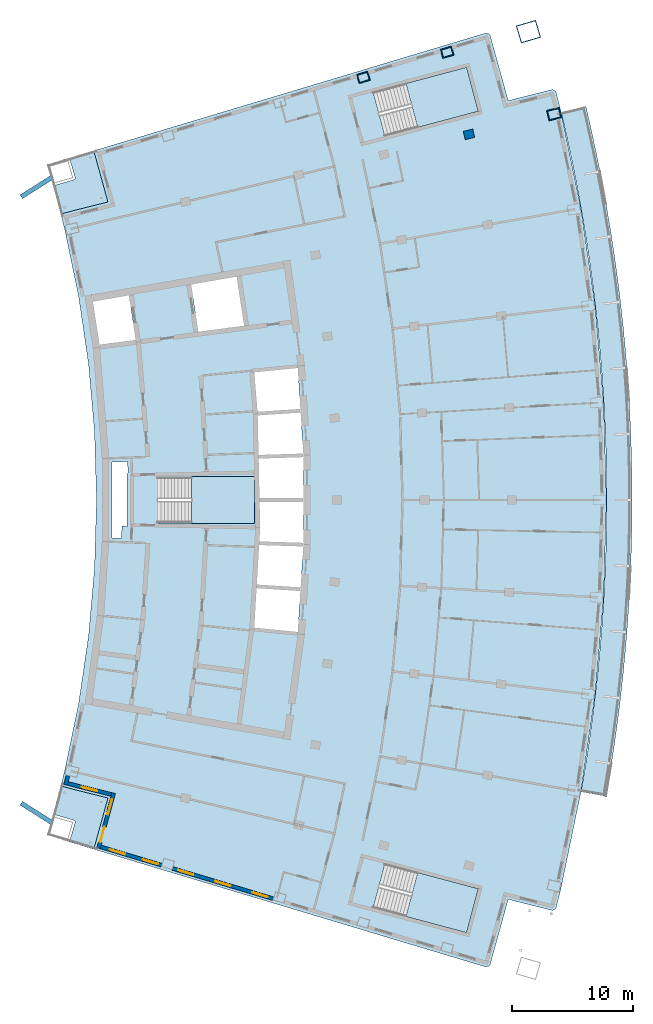
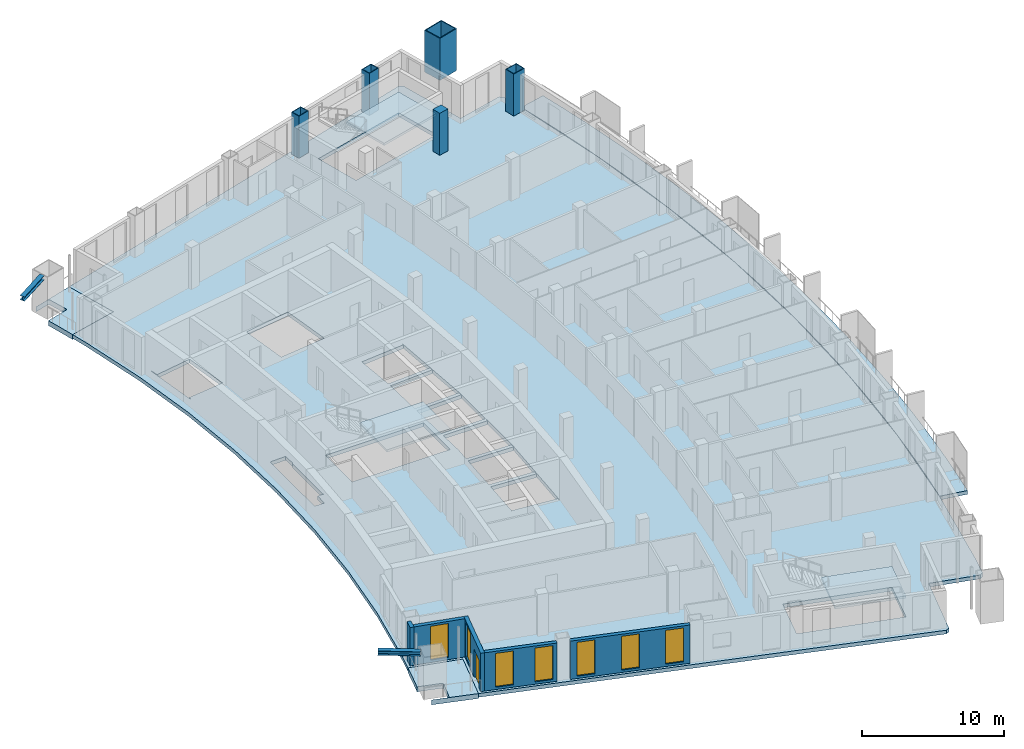
# One storey, part 8 of 18: 7 slabs, 7 windows, 5 columns, 5 walls, 2 members, 1 door, 8 openings, 3 elements without a shape of their own.
"""IFC4 building model written with IfcOpenShell, lengths in metres."""

from ifc_helpers import new_model, si_unit, direction, frame, frame_2d, origin, origin_2d, place, context, subcontext, project, spatial, polyline, rectangle, hollow_rectangle, i_section, outline, extrude, material, layer, layer_set, material_profile, profile_set, type_object, element, fill, aggregate, save


model = new_model("IFC4")

# Units and contexts
model_context = context("Model", 3, precision=1e-05, world=origin(), true_north=direction((0.0, 1.0)))
body_context = subcontext(model_context, "Body", "Model", "MODEL_VIEW")
ifc_project = project(units=[si_unit("LENGTHUNIT", "METRE"), si_unit("AREAUNIT", "SQUARE_METRE"), si_unit("VOLUMEUNIT", "CUBIC_METRE"), si_unit("PLANEANGLEUNIT", "RADIAN"), si_unit("MASSUNIT", "GRAM", prefix="KILO")], contexts=[model_context])

# Site, building, storey
site_placement = place(None, origin())
site = spatial("IfcSite", under=ifc_project, at=site_placement, CompositionType="ELEMENT")
building_placement = place(site_placement, origin())
building = spatial("IfcBuilding", under=site, at=building_placement, Name="Alderwake Tower", CompositionType="ELEMENT")
storey_placement = place(building_placement, frame((0.0, 0.0, 225.199951171875)))
storey = spatial("IfcBuildingStorey", under=building, at=storey_placement, Name="L56", CompositionType="ELEMENT", Elevation=225.199951171875)

# Columns
ifc_material_1 = material(Name="Steel ASTM A572 Grade 50 concrete filled C70/85", Category="concrete")
ifc_material_profile_1 = material_profile(ifc_material_1, hollow_rectangle(XDim=0.75, YDim=0.949951171875, WallThickness=0.054931640625, at=origin_2d()), Name="BOX 950X750X55")
ifc_profile_set_1 = profile_set([ifc_material_profile_1], Name="Steel ASTM A572 Grade 50 concrete filled C70/85")
column_type_1 = type_object("IfcColumnType", Name="End column Z4", PredefinedType="COLUMN", material=ifc_profile_set_1)
for number, where, z_axis, x_axis, name in (
    (1, (37.976318359375, 95.79345703125, 0.0), (0.0, 0.0, 1.0), (-0.282873846689, 0.959157123134, 0.0), "Column R12-C3"),
    (2, (44.872314453125, 97.86376953125, 0.0), (0.0, 0.0, 1.0), (-0.283131639396, 0.959081057457, 0.0), "Column R12-C4"),
):
    element("IfcColumn", number, at=place(storey_placement, frame(where, z_axis=z_axis, x_axis=x_axis)), inside=storey, type_object=column_type_1, Name=name, PredefinedType="COLUMN", context=body_context, shape_type="SweptSolid", body=[
        extrude(hollow_rectangle(XDim=0.75, YDim=0.949951171875, WallThickness=0.054931640625, at=origin_2d()), origin(), (0.0, 0.0, 1.0), 3.60009765625),
    ])
ifc_material_2 = material(Name="Concrete C70/85", Category="concrete")
ifc_material_profile_2 = material_profile(ifc_material_2, rectangle(XDim=0.699951171875, YDim=0.800048828125, at=origin_2d()), Name="RC 800X700")
ifc_profile_set_2 = profile_set([ifc_material_profile_2], Name="Concrete C70/85")
column_type_2 = type_object("IfcColumnType", Name="Interior column Z4", PredefinedType="COLUMN", material=ifc_profile_set_2)
column_1_placement = place(storey_placement, frame((46.671630859375, 91.10498046875, 0.0), z_axis=(0.0, 0.0, 1.0), x_axis=(-0.231221547198, 0.972901123502, 0.0)))
element("IfcColumn", 3, at=column_1_placement, inside=storey, type_object=column_type_2, Name="Column R11-C4", PredefinedType="COLUMN", context=body_context, shape_type="SweptSolid", body=[
    extrude(rectangle(XDim=0.699951171875, YDim=0.800048828125, at=origin_2d()), origin(), (0.0, 0.0, 1.0), 3.60009765625),
])
ifc_material_3 = material(Name="Steel ASTM A572 Grade 50 concrete filled C70/85", Category="concrete")
ifc_material_profile_3 = material_profile(ifc_material_3, hollow_rectangle(XDim=1.5, YDim=1.699951171875, WallThickness=0.074951171875, at=origin_2d()), Name="BOX 1700X1500X75")
ifc_profile_set_3 = profile_set([ifc_material_profile_3], Name="Steel ASTM A572 Grade 50 concrete filled C70/85")
column_type_3 = type_object("IfcColumnType", Name="Mega column Z4", PredefinedType="COLUMN", material=ifc_profile_set_3)
column_2_placement = place(storey_placement, frame((51.565185546875, 99.56201171875, 0.0), z_axis=(0.0, 0.0, 1.0), x_axis=(-0.281269716931, 0.959628754435, 0.0)))
element("IfcColumn", 4, at=column_2_placement, inside=storey, type_object=column_type_3, Name="Column R12-C5", PredefinedType="COLUMN", context=body_context, shape_type="SweptSolid", body=[
    extrude(hollow_rectangle(XDim=1.5, YDim=1.699951171875, WallThickness=0.074951171875, at=origin_2d()), origin(), (0.0, 0.0, 1.0), 3.60009765625),
])
ifc_material_4 = material(Name="Steel ASTM A572 Grade 50 concrete filled C70/85", Category="concrete")
ifc_material_profile_4 = material_profile(ifc_material_4, hollow_rectangle(XDim=0.85009765625, YDim=1.050048828125, WallThickness=0.054931640625, at=origin_2d()), Name="BOX 1050X850X55")
ifc_profile_set_4 = profile_set([ifc_material_profile_4], Name="Steel ASTM A572 Grade 50 concrete filled C70/85")
column_type_4 = type_object("IfcColumnType", Name="Perimeter column Z4", PredefinedType="COLUMN", material=ifc_profile_set_4)
column_3_placement = place(storey_placement, frame((53.676513671875, 92.77001953125, 0.0), z_axis=(0.0, 0.0, 1.0), x_axis=(-0.231221547198, 0.972901123502, 0.0)))
element("IfcColumn", 5, at=column_3_placement, inside=storey, type_object=column_type_4, Name="Column R11-C5", PredefinedType="COLUMN", context=body_context, shape_type="SweptSolid", body=[
    extrude(hollow_rectangle(XDim=0.85009765625, YDim=1.050048828125, WallThickness=0.054931640625, at=origin_2d()), origin(), (0.0, 0.0, 1.0), 3.60009765625),
])

# Members
ifc_material_5 = material(Name="Steel ASTM A992 Grade 50", Category="steel")
ifc_material_profile_5 = material_profile(ifc_material_5, i_section(OverallWidth=0.3740234375, OverallDepth=0.372314453125, WebThickness=0.016357421875, FlangeThickness=0.026123046875, at=origin_2d()), Name="W14X132")
ifc_profile_set_5 = profile_set([ifc_material_profile_5], Name="Steel ASTM A992 Grade 50")
member_type = type_object("IfcMemberType", Name="Brace node stub W14X132", PredefinedType="MEMBER", material=ifc_profile_set_5)
for number, where, z_axis, x_axis, name in (
    (6, (12.35009765625, 34.422119140625, 3.393798828125), (-0.844643389982, 0.535329378757, 0.0), (-0.535329378757, -0.844643389982, 0.0), "Brace node stub BS.RR02-C0.2288"),
    (7, (12.35009765625, 87.577880859375, 3.393798828125), (-0.844643389982, -0.535329378757, 0.0), (0.535329378757, -0.844643389982, 0.0), "Brace node stub BS.RR12-C0.2288"),
):
    element("IfcMember", number, at=place(storey_placement, frame(where, z_axis=z_axis, x_axis=x_axis)), inside=storey, type_object=member_type, Name=name, PredefinedType="MEMBER", context=body_context, shape_type="SweptSolid", body=[
        extrude(i_section(OverallWidth=0.3740234375, OverallDepth=0.372314453125, WebThickness=0.016357421875, FlangeThickness=0.026123046875, at=origin_2d()), origin(), (0.0, 0.0, 1.0), 3.015869140625),
    ])

# Slabs
ifc_material_6 = material(Name="Concrete C50/60", Category="concrete")
ifc_layer_1 = layer(ifc_material_6, 0.320068359375)
ifc_layer_set_1 = layer_set([ifc_layer_1], Name="Balcony slab 320")
slab_type_1 = type_object("IfcSlabType", Name="Balcony slab 320", PredefinedType="FLOOR", material=ifc_layer_set_1)
slab_1_placement = place(storey_placement, frame((0.0, 0.0, -0.320068359375)))
element("IfcSlab", 8, at=slab_1_placement, inside=storey, type_object=slab_type_1, Name="Balcony BF04", PredefinedType="FLOOR", context=body_context, shape_type="SweptSolid", body=[
    extrude(outline(polyline([(58.30126953125, 38.621826171875), (58.61279296875, 40.64111328125), (58.89501953125, 42.66455078125), (59.147705078125, 44.692138671875), (59.37060546875, 46.722900390625), (59.56396484375, 48.7568359375), (59.727783203125, 50.79345703125), (59.86181640625, 52.83203125), (59.9658203125, 54.87255859375), (60.040283203125, 56.914306640625), (60.085205078125, 58.956787109375), (60.10009765625, 61.0), (60.085205078125, 63.043212890625), (60.040283203125, 65.085693359375), (59.9658203125, 67.12744140625), (59.86181640625, 69.16796875), (59.727783203125, 71.20654296875), (59.56396484375, 73.2431640625), (59.37060546875, 75.277099609375), (59.147705078125, 77.307861328125), (58.89501953125, 79.33544921875), (58.61279296875, 81.35888671875), (58.30126953125, 83.378173828125), (57.960205078125, 85.392578125), (57.58984375, 87.40185546875), (57.190185546875, 89.405517578125), (56.76123046875, 91.403076171875), (56.303466796875, 93.394287109375), (54.26025390625, 92.90869140625), (54.71142578125, 90.947265625), (55.1337890625, 88.979736328125), (55.52734375, 87.006103515625), (55.892333984375, 85.02685546875), (56.228271484375, 83.042724609375), (56.53515625, 81.0537109375), (56.81298828125, 79.060546875), (57.06201171875, 77.0634765625), (57.281494140625, 75.06298828125), (57.47216796875, 73.0595703125), (57.63330078125, 71.0537109375), (57.765380859375, 69.04541015625), (57.867919921875, 67.03564453125), (57.94140625, 65.0244140625), (57.9853515625, 63.012451171875), (58.0, 61.0), (57.9853515625, 58.987548828125), (57.94140625, 56.9755859375), (57.867919921875, 54.96435546875), (57.765380859375, 52.95458984375), (57.63330078125, 50.9462890625), (57.47216796875, 48.9404296875), (57.281494140625, 46.93701171875), (57.06201171875, 44.9365234375), (56.81298828125, 42.939453125), (56.53515625, 40.9462890625), (56.228271484375, 38.957275390625), (55.892333984375, 36.97314453125), (57.960205078125, 36.607421875), (58.30126953125, 38.621826171875)])), origin(), (0.0, 0.0, 1.0), 0.320068359375),
])
ifc_material_7 = material(Name="Concrete C50/60", Category="concrete")
ifc_layer_2 = layer(ifc_material_7, 0.320068359375)
ifc_layer_set_2 = layer_set([ifc_layer_2], Name="Concrete C50/60 post-tensioned flat plate 320")
slab_type_2 = type_object("IfcSlabType", Name="Concrete C50/60 post-tensioned flat plate 320", PredefinedType="FLOOR", material=ifc_layer_set_2)
slab_2_placement = place(storey_placement, frame((0.0, 0.0, -0.320068359375)))
element("IfcSlab", 9, at=slab_2_placement, inside=storey, type_object=slab_type_2, Name="Floor slab L56", PredefinedType="FLOOR", context=body_context, shape_type="SweptSolid", body=[
    extrude(outline(polyline([(13.06494140625, 37.443115234375), (13.3984375, 38.802734375), (14.53369140625, 44.28564453125), (15.347412109375, 49.825439453125), (15.836669921875, 55.4033203125), (16.0, 61.0), (15.836669921875, 66.5966796875), (15.347412109375, 72.174560546875), (14.53369140625, 77.71435546875), (13.3984375, 83.197265625), (13.06494140625, 84.556884765625), (16.942626953125, 85.53857421875), (15.776611328125, 89.7548828125), (48.120361328125, 99.465576171875), (48.40185546875, 99.309814453125), (49.903076171875, 93.881591796875), (53.557861328125, 94.806640625), (53.835693359375, 94.6396484375), (54.26025390625, 92.90869140625), (55.892333984375, 85.02685546875), (57.06201171875, 77.0634765625), (57.765380859375, 69.04541015625), (58.0, 61.0), (57.765380859375, 52.95458984375), (57.06201171875, 44.9365234375), (55.892333984375, 36.97314453125), (54.26025390625, 29.09130859375), (53.835693359375, 27.3603515625), (53.557861328125, 27.193359375), (49.903076171875, 28.118408203125), (48.40185546875, 22.690185546875), (48.120361328125, 22.534423828125), (15.776611328125, 32.2451171875), (16.942626953125, 36.46142578125), (13.06494140625, 37.443115234375)]), holes=[polyline([(28.9853515625, 50.4306640625), (28.989013671875, 50.430419921875), (28.994140625, 50.485595703125), (32.546875, 50.1376953125), (32.5322265625, 49.988525390625), (32.562255859375, 49.985595703125), (32.80126953125, 53.654541015625), (33.0400390625, 57.323486328125), (33.0400390625, 61.0), (33.0400390625, 64.676513671875), (32.80126953125, 68.345458984375), (32.562255859375, 72.014404296875), (32.532470703125, 72.011474609375), (32.547119140625, 71.8623046875), (28.993896484375, 71.514404296875), (29.256591796875, 68.264892578125), (32.761474609375, 68.4931640625), (32.771240234375, 68.343505859375), (32.781005859375, 68.19384765625), (29.278564453125, 67.9658203125), (29.274169921875, 68.032470703125), (29.2705078125, 68.0322265625), (29.34423828125, 64.70654296875), (33.005126953125, 64.82568359375), (33.010009765625, 64.67578125), (33.014892578125, 64.525634765625), (29.350830078125, 64.406494140625), (29.4228515625, 61.14990234375), (33.010009765625, 61.14990234375), (33.010009765625, 61.0), (33.010009765625, 60.85009765625), (29.429443359375, 60.85009765625), (29.4765625, 58.72314453125), (29.409423828125, 57.591552734375), (33.014892578125, 57.474365234375), (33.010009765625, 57.32421875), (33.005126953125, 57.17431640625), (29.395751953125, 57.291748046875), (29.39599609375, 57.3017578125), (29.392333984375, 57.302001953125), (29.198974609375, 54.039306640625), (32.781005859375, 53.80615234375), (32.771240234375, 53.656494140625), (32.761474609375, 53.5068359375), (29.181396484375, 53.739990234375), (28.9853515625, 50.4306640625)]), polyline([(21.050048828125, 62.875), (21.050048828125, 59.125), (29.0, 59.125), (29.0, 62.875), (21.050048828125, 62.875)]), polyline([(15.64111328125, 77.91015625), (15.487060546875, 77.8828125), (15.487548828125, 77.879150390625), (15.617919921875, 77.899169921875), (16.280029296875, 73.5927734375), (16.31005859375, 73.5966796875), (16.2841796875, 73.794921875), (19.224853515625, 74.1796875), (18.673095703125, 77.842041015625), (18.869140625, 77.87158203125), (18.8671875, 77.8837890625), (15.740234375, 77.340087890625), (15.64111328125, 77.91015625)]), polyline([(27.538330078125, 79.39111328125), (23.794921875, 78.740478515625), (24.384033203125, 74.8583984375), (24.36865234375, 74.856201171875), (24.369140625, 74.8525390625), (28.152587890625, 75.347412109375), (27.538330078125, 79.39111328125)]), polyline([(47.436279296875, 28.996826171875), (39.754150390625, 31.043212890625), (38.7890625, 27.41943359375), (46.47119140625, 25.373291015625), (47.436279296875, 28.996826171875)]), polyline([(46.47119140625, 96.626708984375), (38.7890625, 94.58056640625), (39.754150390625, 90.956787109375), (47.436279296875, 93.003173828125), (46.47119140625, 96.626708984375)]), polyline([(17.289306640625, 64.118408203125), (17.289306640625, 57.881591796875), (18.06298828125, 57.85400390625), (18.090576171875, 58.84375), (18.544189453125, 58.831298828125), (18.529296875, 58.8681640625), (18.5234375, 58.891845703125), (18.5185546875, 58.940673828125), (18.5185546875, 63.060302734375), (18.5234375, 63.109130859375), (18.53759765625, 63.156005859375), (18.560791015625, 63.19921875), (18.588623046875, 63.2333984375), (18.562744140625, 64.16357421875), (17.289306640625, 64.118408203125)])]), origin(), (0.0, 0.0, 1.0), 0.320068359375),
])

# Stair, slab
ifc_material_8 = material(Name="Concrete C40/50", Category="concrete")
stair_type = type_object("IfcStairType", Name="Core exit stair", PredefinedType="HALF_TURN_STAIR", material=ifc_material_8)
stair_1_placement = place(storey_placement, origin())
stair_1 = element("IfcStair", 10, at=stair_1_placement, inside=storey, type_object=stair_type, Name="L56 Exit Stair B", PredefinedType="HALF_TURN_STAIR")
ifc_material_9 = material(Name="Concrete C40/50", Category="concrete")
ifc_layer_3 = layer(ifc_material_9, 0.199951171875)
ifc_layer_set_3 = layer_set([ifc_layer_3], Name="Core stair landing 200")
slab_type_3 = type_object("IfcSlabType", Name="Core stair landing 200", PredefinedType="LANDING", material=ifc_layer_set_3)
slab_3_placement = place(storey_placement, frame((0.0, 0.0, 1.60009765625)))
slab_3 = element("IfcSlab", 11, at=slab_3_placement, type_object=slab_type_3, Name="ST-B landing 1", PredefinedType="LANDING", context=body_context, shape_type="SweptSolid", body=[
    extrude(outline(polyline([(23.830078125, 59.074951171875), (29.0, 59.074951171875), (29.0, 62.925048828125), (23.830078125, 62.925048828125), (23.830078125, 59.074951171875)])), origin(), (0.0, 0.0, 1.0), 0.199951171875),
])
aggregate(stair_1, [slab_3])

stair_2_placement = place(storey_placement, origin())
stair_2 = element("IfcStair", 12, at=stair_2_placement, inside=storey, type_object=stair_type, Name="L56 Exit Stair A", PredefinedType="HALF_TURN_STAIR")
slab_4_placement = place(storey_placement, frame((0.0, 0.0, 1.60009765625)))
slab_4 = element("IfcSlab", 13, at=slab_4_placement, type_object=slab_type_3, Name="ST-A landing 1", PredefinedType="LANDING", context=body_context, shape_type="SweptSolid", body=[
    extrude(outline(polyline([(42.440673828125, 91.67236328125), (47.436279296875, 93.003173828125), (46.47119140625, 96.626708984375), (41.475341796875, 95.296142578125), (42.440673828125, 91.67236328125)])), origin(), (0.0, 0.0, 1.0), 0.199951171875),
])
aggregate(stair_2, [slab_4])

stair_3_placement = place(storey_placement, origin())
stair_3 = element("IfcStair", 14, at=stair_3_placement, inside=storey, type_object=stair_type, Name="L56 Exit Stair C", PredefinedType="HALF_TURN_STAIR")
slab_5_placement = place(storey_placement, frame((0.0, 0.0, 1.60009765625)))
slab_5 = element("IfcSlab", 15, at=slab_5_placement, type_object=slab_type_3, Name="ST-C landing 1", PredefinedType="LANDING", context=body_context, shape_type="SweptSolid", body=[
    extrude(outline(polyline([(41.475341796875, 26.703857421875), (46.47119140625, 25.373291015625), (47.436279296875, 28.996826171875), (42.4404296875, 30.32763671875), (41.475341796875, 26.703857421875)])), origin(), (0.0, 0.0, 1.0), 0.199951171875),
])
aggregate(stair_3, [slab_5])

# Slabs
ifc_material_10 = material(Name="Concrete C50/60", Category="concrete")
ifc_layer_4 = layer(ifc_material_10, 0.419921875)
ifc_layer_set_4 = layer_set([ifc_layer_4], Name="Terrace slab 420")
slab_type_4 = type_object("IfcSlabType", Name="Terrace slab 420", PredefinedType="FLOOR", material=ifc_layer_set_4)
slab_6_placement = place(storey_placement, frame((0.0, 0.0, -0.419921875)))
element("IfcSlab", 16, at=slab_6_placement, inside=storey, type_object=slab_type_4, Name="Corner terrace RS", PredefinedType="FLOOR", context=body_context, shape_type="SweptSolid", body=[
    extrude(outline(polyline([(15.776611328125, 32.2451171875), (12.517333984375, 33.2236328125), (13.628662109375, 32.901123046875), (13.64306640625, 32.897705078125), (13.65771484375, 32.895751953125), (13.67236328125, 32.895263671875), (13.68701171875, 32.896240234375), (13.701416015625, 32.8984375), (13.7158203125, 32.90234375), (13.7294921875, 32.907470703125), (13.742919921875, 32.913818359375), (13.75537109375, 32.921630859375), (13.76708984375, 32.930419921875), (13.77783203125, 32.9404296875), (13.78759765625, 32.951416015625), (13.796142578125, 32.96337890625), (13.8037109375, 32.976318359375), (13.809814453125, 32.989501953125), (13.814453125, 33.00341796875), (14.232421875, 34.444091796875), (14.23583984375, 34.45849609375), (14.23779296875, 34.472900390625), (14.23828125, 34.48779296875), (14.237548828125, 34.50244140625), (14.235107421875, 34.516845703125), (14.2314453125, 34.53125), (14.226318359375, 34.544921875), (14.2197265625, 34.55810546875), (14.212158203125, 34.57080078125), (14.203125, 34.58251953125), (14.193115234375, 34.59326171875), (14.18212890625, 34.60302734375), (14.170166015625, 34.611572265625), (14.157470703125, 34.618896484375), (14.14404296875, 34.625244140625), (14.130126953125, 34.6298828125), (12.49755859375, 35.103515625), (12.483154296875, 35.10693359375), (12.468505859375, 35.10888671875), (12.453857421875, 35.109619140625), (12.4404296875, 35.108642578125), (12.71142578125, 36.08837890625), (13.06494140625, 37.443115234375), (16.942626953125, 36.46142578125), (15.776611328125, 32.2451171875)])), origin(), (0.0, 0.0, 1.0), 0.419921875),
])
slab_7_placement = place(storey_placement, frame((0.0, 0.0, -0.419921875)))
element("IfcSlab", 17, at=slab_7_placement, inside=storey, type_object=slab_type_4, Name="Corner terrace RN", PredefinedType="FLOOR", context=body_context, shape_type="SweptSolid", body=[
    extrude(outline(polyline([(12.4404296875, 86.891357421875), (12.453857421875, 86.890380859375), (12.468505859375, 86.89111328125), (12.483154296875, 86.89306640625), (12.49755859375, 86.896484375), (14.130126953125, 87.3701171875), (14.14404296875, 87.374755859375), (14.157470703125, 87.381103515625), (14.170166015625, 87.388427734375), (14.18212890625, 87.39697265625), (14.193115234375, 87.40673828125), (14.203125, 87.41748046875), (14.212158203125, 87.42919921875), (14.2197265625, 87.44189453125), (14.226318359375, 87.455078125), (14.2314453125, 87.46875), (14.235107421875, 87.483154296875), (14.237548828125, 87.49755859375), (14.23828125, 87.51220703125), (14.23779296875, 87.527099609375), (14.23583984375, 87.54150390625), (14.232421875, 87.555908203125), (13.814453125, 88.99658203125), (13.809814453125, 89.010498046875), (13.8037109375, 89.023681640625), (13.796142578125, 89.03662109375), (13.78759765625, 89.048583984375), (13.77783203125, 89.0595703125), (13.76708984375, 89.069580078125), (13.75537109375, 89.078369140625), (13.742919921875, 89.086181640625), (13.7294921875, 89.092529296875), (13.7158203125, 89.09765625), (13.701416015625, 89.1015625), (13.68701171875, 89.103759765625), (13.67236328125, 89.104736328125), (13.65771484375, 89.104248046875), (13.64306640625, 89.102294921875), (13.628662109375, 89.098876953125), (12.517333984375, 88.7763671875), (15.776611328125, 89.7548828125), (16.942626953125, 85.53857421875), (13.06494140625, 84.556884765625), (12.71142578125, 85.91162109375), (12.4404296875, 86.891357421875)])), origin(), (0.0, 0.0, 1.0), 0.419921875),
])

# Wall
ifc_material_11 = material(Name="Precast concrete C50/60 spandrel panel", Category="concrete")
ifc_layer_5 = layer(ifc_material_11, 0.300048828125)
ifc_layer_set_5 = layer_set([ifc_layer_5], Name="External wall EW1 Precast concrete C50/60 spandrel")
wall_type_1 = type_object("IfcWallType", Name="External wall EW1 Precast concrete C50/60 spandrel", PredefinedType="SOLIDWALL", material=ifc_layer_set_5)
wall_1_placement = place(storey_placement, frame((13.63720703125, 38.30712890625, 0.0), z_axis=(0.0, 0.0, 1.0), x_axis=(-0.23817684901, -0.971221801957, 0.0)))
element("IfcWall", 18, at=wall_1_placement, inside=storey, type_object=wall_type_1, Name="External wall 1", PredefinedType="SOLIDWALL", context=body_context, shape_type="SweptSolid", body=[
    extrude(rectangle(XDim=0.778076171875, YDim=0.300048828125, at=frame_2d((0.38916015625, 0.0))), origin(), (0.0, 0.0, 1.0), 3.280029296875),
])

# Wall, opening, window
ifc_material_12 = material(Name="Bronze metal cladding on lightweight framing")
ifc_layer_6 = layer(ifc_material_12, 0.300048828125)
ifc_layer_set_6 = layer_set([ifc_layer_6], Name="External wall EW2 bronze metal cladding")
wall_type_2 = type_object("IfcWallType", Name="External wall EW2 bronze metal cladding", PredefinedType="SOLIDWALL", material=ifc_layer_set_6)
wall_2_placement = place(storey_placement, frame((13.633056640625, 37.660400390625, 0.0), z_axis=(0.0, 0.0, 1.0), x_axis=(0.969417366605, -0.245417948254, 0.0)))
wall_2 = element("IfcWall", 19, at=wall_2_placement, inside=storey, type_object=wall_type_2, Name="External wall 2", PredefinedType="SOLIDWALL", context=body_context, shape_type="SweptSolid", body=[
    extrude(rectangle(XDim=3.70556640625, YDim=0.300048828125, at=frame_2d((1.852783203125, 0.0))), origin(), (0.0, 0.0, 1.0), 3.280029296875),
])
opening_1_placement = place(wall_2_placement, frame((1.202880859375, 0.0, 0.199951171875)))
opening_1 = element("IfcOpeningElement", 20, at=opening_1_placement, cuts=wall_2, Name="Opening W1", PredefinedType="OPENING", context=body_context, shape_type="SweptSolid", body=[
    extrude(rectangle(XDim=1.300048828125, YDim=2.89990234375, at=frame_2d((0.64990234375, 1.449951171875))), frame((0.0, 0.159912109375, 0.0), z_axis=(0.0, -1.0, 0.0), x_axis=(1.0, 0.0, 0.0)), (0.0, 0.0, 1.0), 0.320068359375),
])
ifc_material_13 = material(Name="Bronze tinted glass in aluminium frame", Category="aluminium")
window_type = type_object("IfcWindowType", Name="Window W1 tall fixed and vent", PartitioningType="DOUBLE_PANEL_VERTICAL", PredefinedType="WINDOW", material=ifc_material_13)
window_1_placement = place(opening_1_placement, origin())
window_1 = element("IfcWindow", 21, at=window_1_placement, inside=storey, type_object=window_type, Name="Window W1 tall fixed and vent", OverallHeight=2.89990234375, OverallWidth=1.300048828125, PartitioningType="DOUBLE_PANEL_VERTICAL", PredefinedType="WINDOW", context=body_context, shape_type="SweptSolid", body=[
    extrude(rectangle(XDim=1.300048828125, YDim=2.89990234375, at=frame_2d((0.64990234375, 1.449951171875))), frame((0.0, 0.030029296875, 0.0), z_axis=(0.0, -1.0, 0.0), x_axis=(1.0, 0.0, 0.0)), (0.0, 0.0, 1.0), 0.06005859375),
])
fill(opening_1, window_1)

# Wall, openings, door, window
wall_3_placement = place(storey_placement, frame((17.410400390625, 36.85888671875, 0.0), z_axis=(0.0, 0.0, 1.0), x_axis=(-0.264592640785, -0.96436027212, 0.0)))
wall_3 = element("IfcWall", 22, at=wall_3_placement, inside=storey, type_object=wall_type_2, Name="External wall 3", PredefinedType="SOLIDWALL", context=body_context, shape_type="SweptSolid", body=[
    extrude(rectangle(XDim=4.690185546875, YDim=0.300048828125, at=frame_2d((2.34521484375, 0.0))), origin(), (0.0, 0.0, 1.0), 3.280029296875),
])
opening_2_placement = place(wall_3_placement, frame((0.5224609375, 0.0, 0.199951171875)))
opening_2 = element("IfcOpeningElement", 23, at=opening_2_placement, cuts=wall_3, Name="Opening W1", PredefinedType="OPENING", context=body_context, shape_type="SweptSolid", body=[
    extrude(rectangle(XDim=1.300048828125, YDim=2.89990234375, at=frame_2d((0.64990234375, 1.449951171875))), frame((0.0, 0.159912109375, 0.0), z_axis=(0.0, -1.0, 0.0), x_axis=(1.0, 0.0, 0.0)), (0.0, 0.0, 1.0), 0.320068359375),
])
opening_3_placement = place(wall_3_placement, frame((2.867431640625, 0.0, 0.0)))
opening_3 = element("IfcOpeningElement", 24, at=opening_3_placement, cuts=wall_3, Name="Opening D01", PredefinedType="OPENING", context=body_context, shape_type="SweptSolid", body=[
    extrude(rectangle(XDim=1.300048828125, YDim=2.39990234375, at=frame_2d((0.64990234375, 1.199951171875))), frame((0.0, 0.159912109375, 0.0), z_axis=(0.0, -1.0, 0.0), x_axis=(1.0, 0.0, 0.0)), (0.0, 0.0, 1.0), 0.320068359375),
])
ifc_material_14 = material(Name="Bronze tinted glass in aluminium frame", Category="aluminium")
door_type = type_object("IfcDoorType", Name="Balcony door BD sliding", OperationType="SLIDING_TO_LEFT", PredefinedType="DOOR", material=ifc_material_14)
door_placement = place(opening_3_placement, origin())
door = element("IfcDoor", 25, at=door_placement, inside=storey, type_object=door_type, Name="Door D01", OperationType="SLIDING_TO_LEFT", OverallHeight=2.39990234375, OverallWidth=1.300048828125, PredefinedType="DOOR", context=body_context, shape_type="SweptSolid", body=[
    extrude(rectangle(XDim=1.300048828125, YDim=2.39990234375, at=frame_2d((0.64990234375, 1.199951171875))), frame((0.0, 0.02490234375, 0.0), z_axis=(0.0, -1.0, 0.0), x_axis=(1.0, 0.0, 0.0)), (0.0, 0.0, 1.0), 0.050048828125),
])
fill(opening_3, door)
window_2_placement = place(opening_2_placement, origin())
window_2 = element("IfcWindow", 26, at=window_2_placement, inside=storey, type_object=window_type, Name="Window W1 tall fixed and vent", OverallHeight=2.89990234375, OverallWidth=1.300048828125, PartitioningType="DOUBLE_PANEL_VERTICAL", PredefinedType="WINDOW", context=body_context, shape_type="SweptSolid", body=[
    extrude(rectangle(XDim=1.300048828125, YDim=2.89990234375, at=frame_2d((0.64990234375, 1.449951171875))), frame((0.0, 0.030029296875, 0.0), z_axis=(0.0, -1.0, 0.0), x_axis=(1.0, 0.0, 0.0)), (0.0, 0.0, 1.0), 0.06005859375),
])
fill(opening_2, window_2)

# Wall, openings, windows
wall_4_placement = place(storey_placement, frame((16.352783203125, 32.4375, 0.0), z_axis=(0.0, 0.0, 1.0), x_axis=(0.95777225046, -0.287527939944, 0.0)))
wall_4 = element("IfcWall", 27, at=wall_4_placement, inside=storey, type_object=wall_type_2, Name="External wall 4", PredefinedType="SOLIDWALL", context=body_context, shape_type="SweptSolid", body=[
    extrude(rectangle(XDim=5.224609375, YDim=0.300048828125, at=frame_2d((2.6123046875, 0.0))), origin(), (0.0, 0.0, 1.0), 3.280029296875),
])
opening_4_placement = place(wall_4_placement, frame((0.775390625, 0.0, 0.199951171875)))
opening_4 = element("IfcOpeningElement", 28, at=opening_4_placement, cuts=wall_4, Name="Opening W1", PredefinedType="OPENING", context=body_context, shape_type="SweptSolid", body=[
    extrude(rectangle(XDim=1.300048828125, YDim=2.89990234375, at=frame_2d((0.64990234375, 1.449951171875))), frame((0.0, 0.159912109375, 0.0), z_axis=(0.0, -1.0, 0.0), x_axis=(1.0, 0.0, 0.0)), (0.0, 0.0, 1.0), 0.320068359375),
])
opening_5_placement = place(wall_4_placement, frame((3.626220703125, 0.0, 0.199951171875)))
opening_5 = element("IfcOpeningElement", 29, at=opening_5_placement, cuts=wall_4, Name="Opening W1", PredefinedType="OPENING", context=body_context, shape_type="SweptSolid", body=[
    extrude(rectangle(XDim=1.300048828125, YDim=2.89990234375, at=frame_2d((0.64990234375, 1.449951171875))), frame((0.0, 0.159912109375, 0.0), z_axis=(0.0, -1.0, 0.0), x_axis=(1.0, 0.0, 0.0)), (0.0, 0.0, 1.0), 0.320068359375),
])
window_3_placement = place(opening_4_placement, origin())
window_3 = element("IfcWindow", 30, at=window_3_placement, inside=storey, type_object=window_type, Name="Window W1 tall fixed and vent", OverallHeight=2.89990234375, OverallWidth=1.300048828125, PartitioningType="DOUBLE_PANEL_VERTICAL", PredefinedType="WINDOW", context=body_context, shape_type="SweptSolid", body=[
    extrude(rectangle(XDim=1.300048828125, YDim=2.89990234375, at=frame_2d((0.64990234375, 1.449951171875))), frame((0.0, 0.030029296875, 0.0), z_axis=(0.0, -1.0, 0.0), x_axis=(1.0, 0.0, 0.0)), (0.0, 0.0, 1.0), 0.06005859375),
])
fill(opening_4, window_3)
window_4_placement = place(opening_5_placement, origin())
window_4 = element("IfcWindow", 31, at=window_4_placement, inside=storey, type_object=window_type, Name="Window W1 tall fixed and vent", OverallHeight=2.89990234375, OverallWidth=1.300048828125, PartitioningType="DOUBLE_PANEL_VERTICAL", PredefinedType="WINDOW", context=body_context, shape_type="SweptSolid", body=[
    extrude(rectangle(XDim=1.300048828125, YDim=2.89990234375, at=frame_2d((0.64990234375, 1.449951171875))), frame((0.0, 0.030029296875, 0.0), z_axis=(0.0, -1.0, 0.0), x_axis=(1.0, 0.0, 0.0)), (0.0, 0.0, 1.0), 0.06005859375),
])
fill(opening_5, window_4)

wall_5_placement = place(storey_placement, frame((22.270751953125, 30.660888671875, 0.0), z_axis=(0.0, 0.0, 1.0), x_axis=(0.957767198916, -0.287544766394, 0.0)))
wall_5 = element("IfcWall", 32, at=wall_5_placement, inside=storey, type_object=wall_type_2, Name="External wall 5", PredefinedType="SOLIDWALL", context=body_context, shape_type="SweptSolid", body=[
    extrude(rectangle(XDim=8.64599609375, YDim=0.300048828125, at=frame_2d((4.322998046875, 0.0))), origin(), (0.0, 0.0, 1.0), 3.280029296875),
])
opening_6_placement = place(wall_5_placement, frame((0.472900390625, 0.0, 0.199951171875)))
opening_6 = element("IfcOpeningElement", 33, at=opening_6_placement, cuts=wall_5, Name="Opening W1", PredefinedType="OPENING", context=body_context, shape_type="SweptSolid", body=[
    extrude(rectangle(XDim=1.300048828125, YDim=2.89990234375, at=frame_2d((0.64990234375, 1.449951171875))), frame((0.0, 0.159912109375, 0.0), z_axis=(0.0, -1.0, 0.0), x_axis=(1.0, 0.0, 0.0)), (0.0, 0.0, 1.0), 0.320068359375),
])
opening_7_placement = place(wall_5_placement, frame((3.673095703125, 0.0, 0.199951171875)))
opening_7 = element("IfcOpeningElement", 34, at=opening_7_placement, cuts=wall_5, Name="Opening W1", PredefinedType="OPENING", context=body_context, shape_type="SweptSolid", body=[
    extrude(rectangle(XDim=1.300048828125, YDim=2.89990234375, at=frame_2d((0.64990234375, 1.449951171875))), frame((0.0, 0.159912109375, 0.0), z_axis=(0.0, -1.0, 0.0), x_axis=(1.0, 0.0, 0.0)), (0.0, 0.0, 1.0), 0.320068359375),
])
opening_8_placement = place(wall_5_placement, frame((6.873046875, 0.0, 0.199951171875)))
opening_8 = element("IfcOpeningElement", 35, at=opening_8_placement, cuts=wall_5, Name="Opening W1", PredefinedType="OPENING", context=body_context, shape_type="SweptSolid", body=[
    extrude(rectangle(XDim=1.300048828125, YDim=2.89990234375, at=frame_2d((0.64990234375, 1.449951171875))), frame((0.0, 0.159912109375, 0.0), z_axis=(0.0, -1.0, 0.0), x_axis=(1.0, 0.0, 0.0)), (0.0, 0.0, 1.0), 0.320068359375),
])
window_5_placement = place(opening_6_placement, origin())
window_5 = element("IfcWindow", 36, at=window_5_placement, inside=storey, type_object=window_type, Name="Window W1 tall fixed and vent", OverallHeight=2.89990234375, OverallWidth=1.300048828125, PartitioningType="DOUBLE_PANEL_VERTICAL", PredefinedType="WINDOW", context=body_context, shape_type="SweptSolid", body=[
    extrude(rectangle(XDim=1.300048828125, YDim=2.89990234375, at=frame_2d((0.64990234375, 1.449951171875))), frame((0.0, 0.030029296875, 0.0), z_axis=(0.0, -1.0, 0.0), x_axis=(1.0, 0.0, 0.0)), (0.0, 0.0, 1.0), 0.06005859375),
])
fill(opening_6, window_5)
window_6_placement = place(opening_7_placement, origin())
window_6 = element("IfcWindow", 37, at=window_6_placement, inside=storey, type_object=window_type, Name="Window W1 tall fixed and vent", OverallHeight=2.89990234375, OverallWidth=1.300048828125, PartitioningType="DOUBLE_PANEL_VERTICAL", PredefinedType="WINDOW", context=body_context, shape_type="SweptSolid", body=[
    extrude(rectangle(XDim=1.300048828125, YDim=2.89990234375, at=frame_2d((0.64990234375, 1.449951171875))), frame((0.0, 0.030029296875, 0.0), z_axis=(0.0, -1.0, 0.0), x_axis=(1.0, 0.0, 0.0)), (0.0, 0.0, 1.0), 0.06005859375),
])
fill(opening_7, window_6)
window_7_placement = place(opening_8_placement, origin())
window_7 = element("IfcWindow", 38, at=window_7_placement, inside=storey, type_object=window_type, Name="Window W1 tall fixed and vent", OverallHeight=2.89990234375, OverallWidth=1.300048828125, PartitioningType="DOUBLE_PANEL_VERTICAL", PredefinedType="WINDOW", context=body_context, shape_type="SweptSolid", body=[
    extrude(rectangle(XDim=1.300048828125, YDim=2.89990234375, at=frame_2d((0.64990234375, 1.449951171875))), frame((0.0, 0.030029296875, 0.0), z_axis=(0.0, -1.0, 0.0), x_axis=(1.0, 0.0, 0.0)), (0.0, 0.0, 1.0), 0.06005859375),
])
fill(opening_8, window_7)

save(model, "model.ifc")
